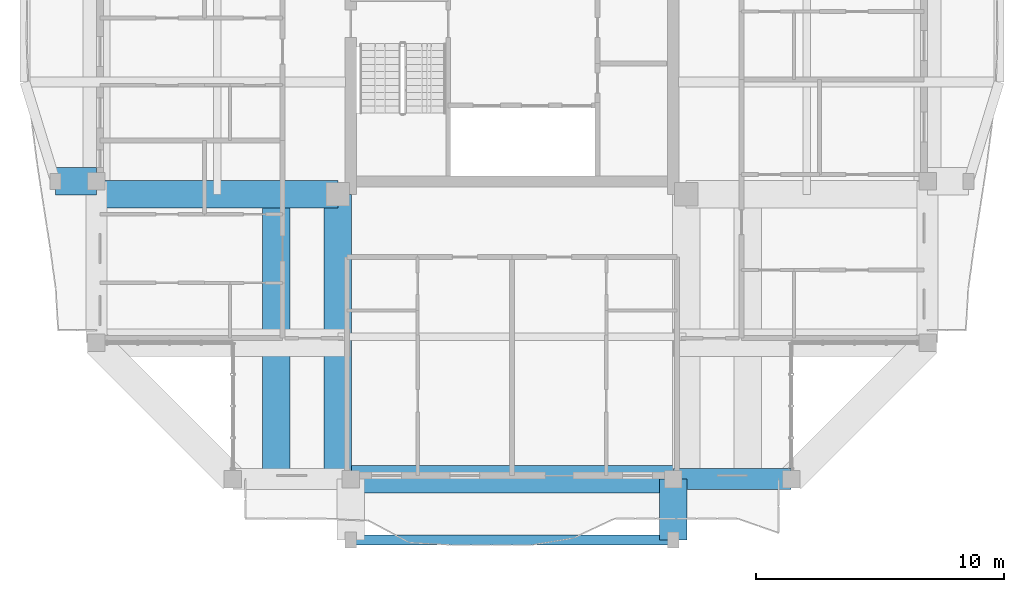
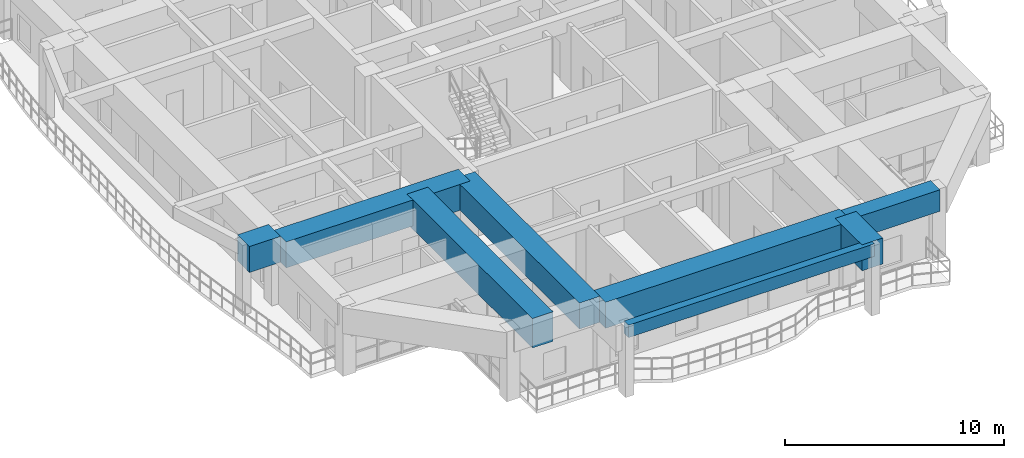
# One storey, part 3 of 27: 8 beams.
"""IFC4 building model written with IfcOpenShell, lengths in metres."""

from ifc_helpers import new_model, si_unit, direction, frame, origin, origin_2d, place, context, subcontext, project, spatial, rectangle, extrude, source, transform, mapped, material, material_profile, profile_set, type_object, element, save


model = new_model("IFC4")

# Units and contexts
model_context = context("Model", 3, precision=1e-05, world=origin(), true_north=direction((0.0, 1.0)))
body_context = subcontext(model_context, "Body", "Model", "MODEL_VIEW")
ifc_project = project(units=[si_unit("LENGTHUNIT", "METRE"), si_unit("AREAUNIT", "SQUARE_METRE"), si_unit("VOLUMEUNIT", "CUBIC_METRE"), si_unit("PLANEANGLEUNIT", "RADIAN"), si_unit("MASSUNIT", "GRAM", prefix="KILO")], contexts=[model_context])

# Site, building, storey
site_placement = place(None, origin())
site = spatial("IfcSite", under=ifc_project, at=site_placement, CompositionType="ELEMENT")
building_placement = place(site_placement, origin())
building = spatial("IfcBuilding", under=site, at=building_placement, Name="Saelheon Loggia Tower", CompositionType="ELEMENT")
storey_placement = place(building_placement, frame((0.0, 0.0, 236.10009765625)))
storey = spatial("IfcBuildingStorey", under=building, at=storey_placement, Name="L73", CompositionType="ELEMENT", Elevation=236.10009765625)

# Beams
ifc_material_1 = material(Name="Concrete C50/60", Category="concrete")
ifc_material_profile_1 = material_profile(ifc_material_1, rectangle(XDim=1.10009765625, YDim=1.449951171875, at=origin_2d()), Name="RC-1100x1450")
ifc_profile_set_1 = profile_set([ifc_material_profile_1], Name="Concrete C50/60")
beam_type_1 = type_object("IfcBeamType", Name="Beam_PerimTransfer_RC1100x1450", PredefinedType="BEAM", material=ifc_profile_set_1)
shared_shape_1 = source(origin(), body_context, "Body", "SweptSolid", [
    extrude(rectangle(XDim=1.10009765625, YDim=1.449951171875, at=origin_2d()), origin(), (0.0, 0.0, 1.0), 2.449951171875),
])
beam_1_placement = place(storey_placement, frame((44.5, 6.0, 3.1748046875), z_axis=(0.0, -1.0, 0.0), x_axis=(1.0, 0.0, 0.0)))
element("IfcBeam", 1, at=beam_1_placement, inside=storey, type_object=beam_type_1, Name="L73 Loggia Frame Tie Beam LP-S2", PredefinedType="BEAM", context=body_context, shape_type="MappedRepresentation", body=[
    mapped(shared_shape_1, transform((0.0, 0.0, 0.0), scale=1.0)),
])
shared_shape_2 = source(origin(), body_context, "Body", "SweptSolid", [
    extrude(rectangle(XDim=1.10009765625, YDim=1.449951171875, at=origin_2d()), origin(), (0.0, 0.0, 1.0), 13.0),
])
beam_2_placement = place(storey_placement, frame((31.5, 6.0, 3.1748046875), z_axis=(1.0, 0.0, 0.0), x_axis=(0.0, 1.0, 0.0)))
element("IfcBeam", 2, at=beam_2_placement, inside=storey, type_object=beam_type_1, Name="L73 Perimeter Frame Girder 02", PredefinedType="BEAM", context=body_context, shape_type="MappedRepresentation", body=[
    mapped(shared_shape_2, transform((0.0, 0.0, 0.0), scale=1.0)),
])
ifc_material_profile_2 = material_profile(ifc_material_1, rectangle(XDim=1.10009765625, YDim=1.449951171875, at=origin_2d()), Name="RC-1100x1450")
ifc_profile_set_2 = profile_set([ifc_material_profile_2], Name="Concrete C50/60")
beam_type_2 = type_object("IfcBeamType", Name="Beam_Transfer_RC1100x1450", PredefinedType="BEAM", material=ifc_profile_set_2)
shared_shape_3 = source(origin(), body_context, "Body", "SweptSolid", [
    extrude(rectangle(XDim=1.10009765625, YDim=1.449951171875, at=origin_2d()), origin(), (0.0, 0.0, 1.0), 11.47998046875),
])
beam_3_placement = place(storey_placement, frame((30.97998046875, 17.47998046875, 3.1748046875), z_axis=(0.0, -1.0, 0.0), x_axis=(1.0, 0.0, 0.0)))
element("IfcBeam", 3, at=beam_3_placement, inside=storey, type_object=beam_type_2, Name="L73 Radial Floor Girder RAD-SW-S", PredefinedType="BEAM", context=body_context, shape_type="MappedRepresentation", body=[
    mapped(shared_shape_3, transform((0.0, 0.0, 0.0), scale=1.0)),
])
ifc_material_profile_3 = material_profile(ifc_material_1, rectangle(XDim=1.10009765625, YDim=1.64990234375, at=origin_2d()), Name="RC-1100x1650")
ifc_profile_set_3 = profile_set([ifc_material_profile_3], Name="Concrete C50/60")
beam_type_3 = type_object("IfcBeamType", Name="Beam_MegaTransfer_RC1100x1650", PredefinedType="BEAM", material=ifc_profile_set_3)
shared_shape_4 = source(origin(), body_context, "Body", "SweptSolid", [
    extrude(rectangle(XDim=1.10009765625, YDim=1.64990234375, at=origin_2d()), origin(), (0.0, 0.0, 1.0), 11.47998046875),
])
beam_4_placement = place(storey_placement, frame((28.5, 6.0, 3.074951171875), z_axis=(0.0, 1.0, 0.0), x_axis=(-1.0, 0.0, 0.0)))
element("IfcBeam", 4, at=beam_4_placement, inside=storey, type_object=beam_type_3, Name="TG-L73-NL-SW", PredefinedType="BEAM", context=body_context, shape_type="MappedRepresentation", body=[
    mapped(shared_shape_4, transform((0.0, 0.0, 0.0), scale=1.0)),
])
shared_shape_5 = source(origin(), body_context, "Body", "SweptSolid", [
    extrude(rectangle(XDim=1.10009765625, YDim=1.449951171875, at=origin_2d()), origin(), (0.0, 0.0, 1.0), 1.64990234375),
])
beam_5_placement = place(storey_placement, frame((21.25, 18.0, 3.1748046875), z_axis=(-1.0, 0.0, 0.0), x_axis=(0.0, -1.0, 0.0)))
element("IfcBeam", 5, at=beam_5_placement, inside=storey, type_object=beam_type_1, Name="L73 Loggia Frame Tie Beam LP-W1", PredefinedType="BEAM", context=body_context, shape_type="MappedRepresentation", body=[
    mapped(shared_shape_5, transform((0.0, 0.0, 0.0), scale=1.0)),
])
ifc_material_2 = material(Name="Precast Concrete C45/55", Category="concrete")
ifc_material_profile_4 = material_profile(ifc_material_2, rectangle(XDim=0.39990234375, YDim=0.699951171875, at=origin_2d()), Name="RC-400x700")
ifc_profile_set_4 = profile_set([ifc_material_profile_4], Name="Precast Concrete C45/55")
beam_type_4 = type_object("IfcBeamType", Name="Beam_LoggiaSpandrel_RC400x700", PredefinedType="SPANDREL", material=ifc_profile_set_4)
shared_shape_6 = source(origin(), body_context, "Body", "SweptSolid", [
    extrude(rectangle(XDim=0.39990234375, YDim=0.699951171875, at=origin_2d()), origin(), (0.0, 0.0, 1.0), 13.0),
])
beam_6_placement = place(storey_placement, frame((31.5, 3.550048828125, 3.5498046875), z_axis=(1.0, 0.0, 0.0), x_axis=(0.0, 1.0, 0.0)))
element("IfcBeam", 6, at=beam_6_placement, inside=storey, type_object=beam_type_4, Name="L73 Loggia Spandrel Beam S", PredefinedType="SPANDREL", context=body_context, shape_type="MappedRepresentation", body=[
    mapped(shared_shape_6, transform((0.0, 0.0, 0.0), scale=1.0)),
])
ifc_material_profile_5 = material_profile(ifc_material_1, rectangle(XDim=0.85009765625, YDim=1.199951171875, at=origin_2d()), Name="RC-850x1200")
ifc_profile_set_5 = profile_set([ifc_material_profile_5], Name="Concrete C50/60")
beam_type_5 = type_object("IfcBeamType", Name="Beam_CornerShoulder_RC850x1200", PredefinedType="BEAM", material=ifc_profile_set_5)
shared_shape_7 = source(origin(), body_context, "Body", "SweptSolid", [
    extrude(rectangle(XDim=0.85009765625, YDim=1.199951171875, at=origin_2d()), origin(), (0.0, 0.0, 1.0), 4.75),
])
beam_7_placement = place(storey_placement, frame((44.5, 6.0, 3.2998046875), z_axis=(1.0, 0.0, 0.0), x_axis=(0.0, 1.0, 0.0)))
element("IfcBeam", 7, at=beam_7_placement, inside=storey, type_object=beam_type_5, Name="L73 Corner Shoulder Beam 03", PredefinedType="BEAM", context=body_context, shape_type="MappedRepresentation", body=[
    mapped(shared_shape_7, transform((0.0, 0.0, 0.0), scale=1.0)),
])
shared_shape_8 = source(origin(), body_context, "Body", "SweptSolid", [
    extrude(rectangle(XDim=1.10009765625, YDim=1.449951171875, at=origin_2d()), origin(), (0.0, 0.0, 1.0), 9.72998046875),
])
beam_8_placement = place(storey_placement, frame((30.97998046875, 17.47998046875, 3.1748046875), z_axis=(-1.0, 0.0, 0.0), x_axis=(0.0, -1.0, 0.0)))
element("IfcBeam", 8, at=beam_8_placement, inside=storey, type_object=beam_type_2, Name="L73 Radial Floor Girder RAD-SW-W", PredefinedType="BEAM", context=body_context, shape_type="MappedRepresentation", body=[
    mapped(shared_shape_8, transform((0.0, 0.0, 0.0), scale=1.0)),
])

save(model, "model.ifc")
